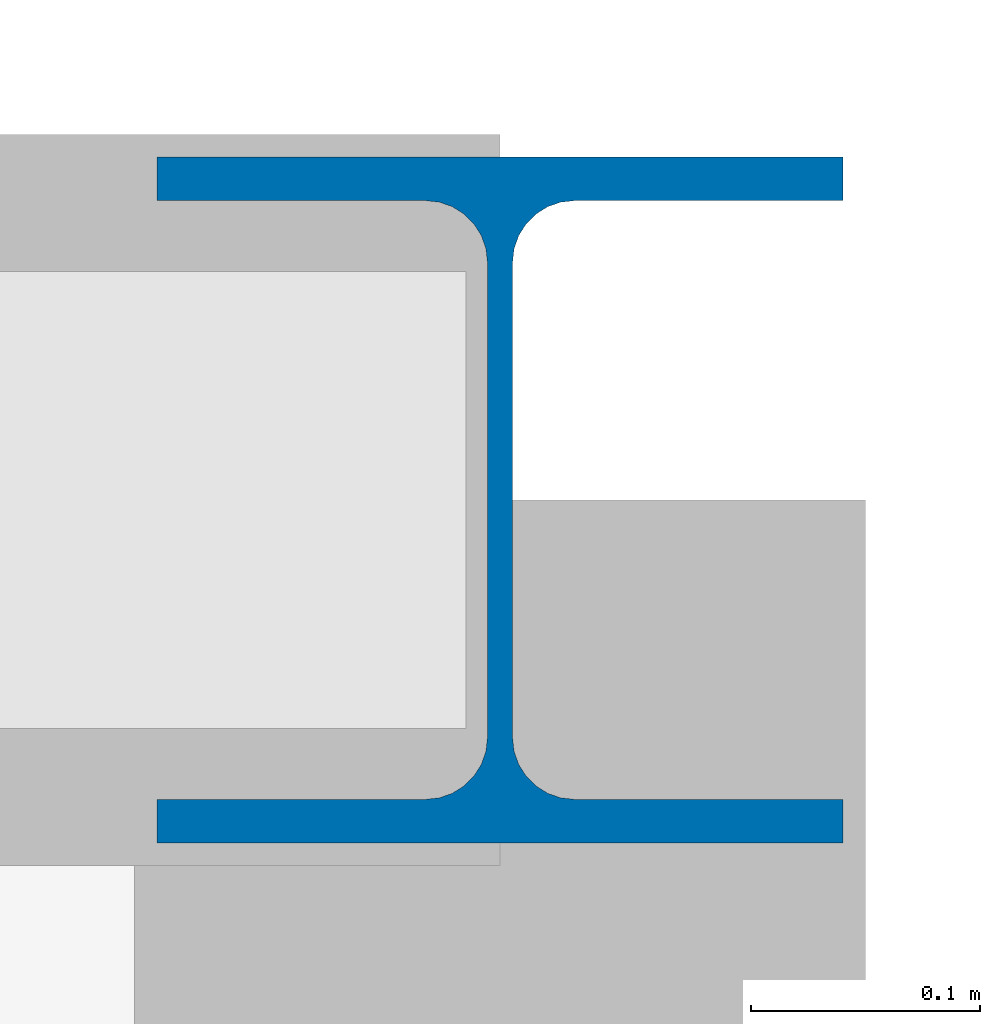
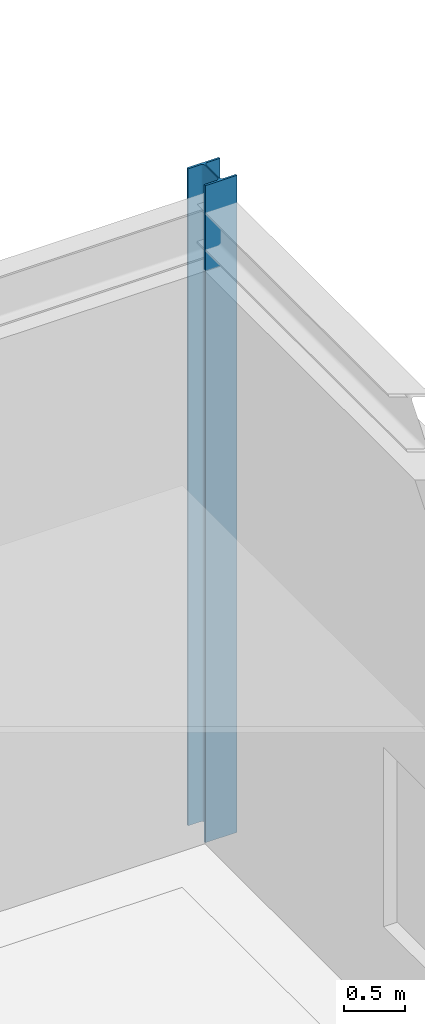
# One storey, part 11 of 62: 1 column.
"""IFC4 building model written with IfcOpenShell, lengths in metres."""

from ifc_helpers import new_model, si_unit, direction, frame, origin, origin_2d, place, context, subcontext, project, spatial, i_section, extrude, material, material_profile, profile_set, type_object, element, save


model = new_model("IFC4")

# Units and contexts
model_context = context("Model", 3, precision=1e-05, world=origin(), true_north=direction((0.0, 1.0)))
body_context = subcontext(model_context, "Body", "Model", "MODEL_VIEW")
ifc_project = project(units=[si_unit("LENGTHUNIT", "METRE"), si_unit("AREAUNIT", "SQUARE_METRE"), si_unit("VOLUMEUNIT", "CUBIC_METRE"), si_unit("PLANEANGLEUNIT", "RADIAN"), si_unit("MASSUNIT", "GRAM", prefix="KILO")], contexts=[model_context])

# Site, building, storey
site_placement = place(None, origin())
site = spatial("IfcSite", under=ifc_project, at=site_placement, CompositionType="ELEMENT")
building_placement = place(site_placement, origin())
building = spatial("IfcBuilding", under=site, at=building_placement, Name="Zlatogorsky Bluff Art Gallery", CompositionType="ELEMENT")
storey_placement = place(building_placement, frame((0.0, 0.0, 16.800048828125)))
storey = spatial("IfcBuildingStorey", under=building, at=storey_placement, Name="L03", CompositionType="ELEMENT", Elevation=16.800048828125)

# Column
ifc_material = material(Name="Steel S355", Category="steel")
ifc_material_profile = material_profile(ifc_material, i_section(OverallWidth=0.300048828125, OverallDepth=0.300048828125, WebThickness=0.010986328125, FlangeThickness=0.01904296875, FilletRadius=0.027099609375, at=origin_2d()), Name="HEB 300")
ifc_profile_set = profile_set([ifc_material_profile], Name="Steel S355")
column_type = type_object("IfcColumnType", Name="Column CL-06 HEB 300", PredefinedType="COLUMN", material=ifc_profile_set)
column_placement = place(storey_placement, frame((120.0, 120.0, 0.0), z_axis=(0.0, 0.0, 1.0), x_axis=(1.0, 0.0, 0.0)))
element("IfcColumn", 1, at=column_placement, inside=storey, type_object=column_type, Name="Column CL-06 L03 L12", PredefinedType="COLUMN", context=body_context, shape_type="SweptSolid", body=[
    extrude(i_section(OverallWidth=0.300048828125, OverallDepth=0.300048828125, WebThickness=0.010986328125, FlangeThickness=0.01904296875, FilletRadius=0.027099609375, at=origin_2d()), origin(), (0.0, 0.0, 1.0), 6.599853515625),
])

save(model, "model.ifc")
